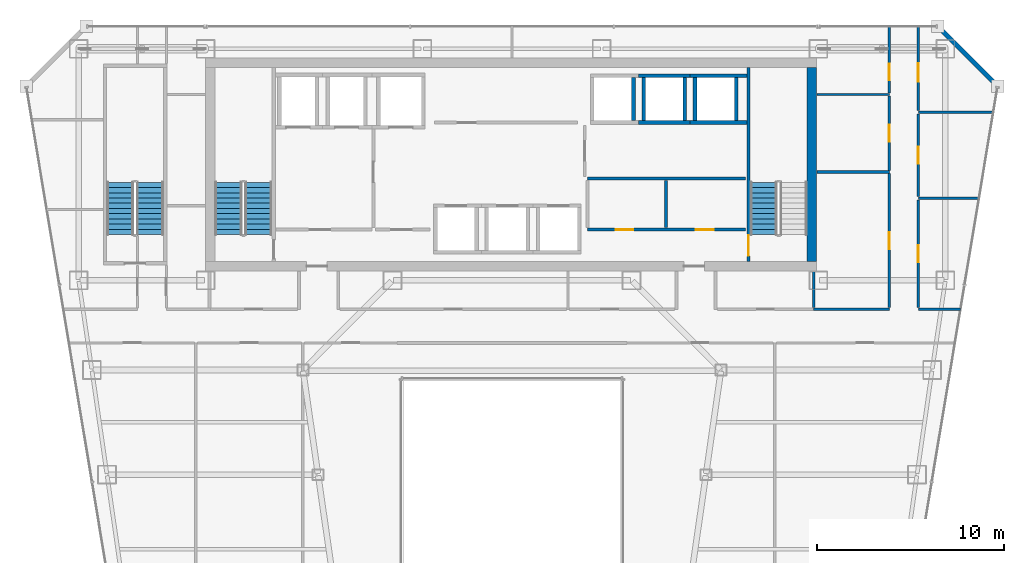
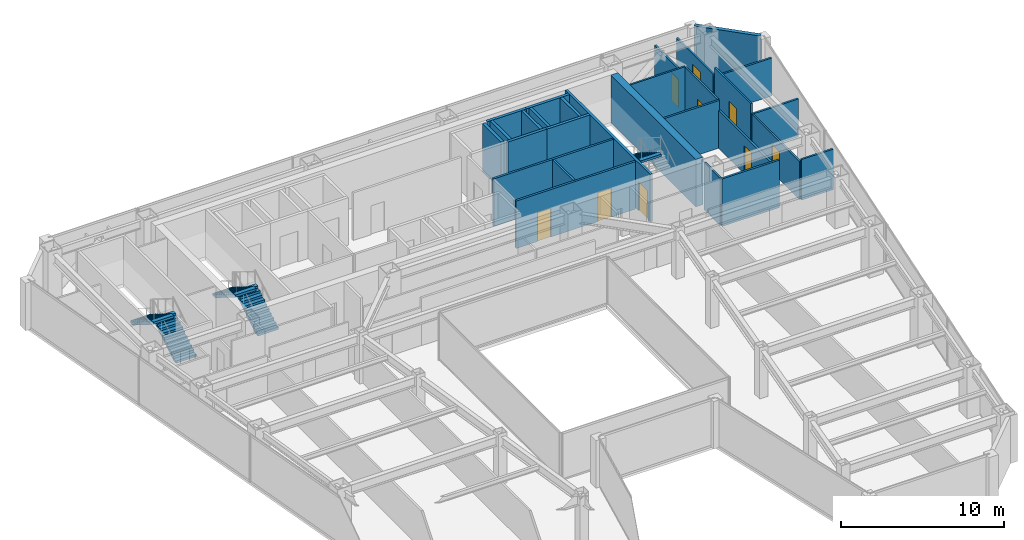
# One storey, part 33 of 37: 28 walls, 9 doors, 5 stair flights, 9 openings, 3 elements without a shape of their own.
"""IFC4 building model written with IfcOpenShell, lengths in metres."""

from ifc_helpers import new_model, si_unit, direction, frame, frame_2d, origin, place, context, subcontext, project, spatial, polyline, rectangle, outline, extrude, material, layer, layer_set, type_object, element, fill, aggregate, save


model = new_model("IFC4")

# Units and contexts
model_context = context("Model", 3, precision=1e-05, world=origin(), true_north=direction((0.0, 1.0)))
body_context = subcontext(model_context, "Body", "Model", "MODEL_VIEW")
ifc_project = project(units=[si_unit("LENGTHUNIT", "METRE"), si_unit("AREAUNIT", "SQUARE_METRE"), si_unit("VOLUMEUNIT", "CUBIC_METRE"), si_unit("PLANEANGLEUNIT", "RADIAN"), si_unit("MASSUNIT", "GRAM", prefix="KILO")], contexts=[model_context])

# Site, building, storey
site_placement = place(None, origin())
site = spatial("IfcSite", under=ifc_project, at=site_placement, CompositionType="ELEMENT")
building_placement = place(site_placement, origin())
building = spatial("IfcBuilding", under=site, at=building_placement, Name="Saevonmaru Cultural Tower", CompositionType="ELEMENT")
storey_placement = place(building_placement, frame((0.0, 0.0, 160.0)))
storey = spatial("IfcBuildingStorey", under=building, at=storey_placement, Name="L35", CompositionType="ELEMENT", Elevation=160.0)

# Wall
ifc_material_1 = material(Name="Concrete C60/75", Category="concrete")
ifc_layer_1 = layer(ifc_material_1, 0.5, Name="Concrete C60/75")
ifc_layer_set_1 = layer_set([ifc_layer_1], Name="Concrete C60/75")
wall_type_1 = type_object("IfcWallType", Name="WL-CORE-500", PredefinedType="SHEAR", material=ifc_layer_set_1)
wall_1_placement = place(storey_placement, frame((46.050048828125, 43.39990234375, 0.0), z_axis=(0.0, 0.0, 1.0), x_axis=(0.0, 1.0, 0.0)))
element("IfcWall", 1, at=wall_1_placement, inside=storey, type_object=wall_type_1, Name="L35 Tower RC core shear wall E", PredefinedType="SHEAR", context=body_context, shape_type="SweptSolid", body=[
    extrude(rectangle(XDim=10.400146484375, YDim=0.5, at=frame_2d((5.2001953125, 0.0))), origin(), (0.0, 0.0, 1.0), 3.550048828125),
])

# Wall, openings, doors
ifc_material_2 = material(Name="Gypsum Fireboard Partition", Category="gypsum")
ifc_layer_2 = layer(ifc_material_2, 0.14990234375, Name="Gypsum Fireboard Partition")
ifc_layer_set_2 = layer_set([ifc_layer_2], Name="Gypsum Fireboard Partition")
wall_type_2 = type_object("IfcWallType", Name="WL-CORE-PART-150", PredefinedType="PARTITIONING", material=ifc_layer_set_2)
wall_2_placement = place(storey_placement, frame((34.050048828125, 45.1201171875, 0.0), z_axis=(0.0, 0.0, 1.0), x_axis=(1.0, 0.0, 0.0)))
wall_2 = element("IfcWall", 2, at=wall_2_placement, inside=storey, type_object=wall_type_2, Name="L35 Core Plant South Wall", PredefinedType="PARTITIONING", context=body_context, shape_type="SweptSolid", body=[
    extrude(rectangle(XDim=8.449951171875, YDim=0.14990234375, at=frame_2d((4.22509765625, 0.0))), origin(), (0.0, 0.0, 1.0), 3.550048828125),
])
opening_1_placement = place(wall_2_placement, frame((1.5, 0.0, 0.0)))
opening_1 = element("IfcOpeningElement", 3, at=opening_1_placement, cuts=wall_2, Name="Opening FD-4", PredefinedType="OPENING", context=body_context, shape_type="SweptSolid", body=[
    extrude(rectangle(XDim=0.949951171875, YDim=2.14990234375, at=frame_2d((0.47509765625, 1.074951171875))), frame((0.0, 0.0849609375, 0.0), z_axis=(0.0, -1.0, 0.0), x_axis=(1.0, 0.0, 0.0)), (0.0, 0.0, 1.0), 0.169921875),
])
opening_2_placement = place(wall_2_placement, frame((5.800048828125, 0.0, 0.0)))
opening_2 = element("IfcOpeningElement", 4, at=opening_2_placement, cuts=wall_2, Name="Opening FD-4", PredefinedType="OPENING", context=body_context, shape_type="SweptSolid", body=[
    extrude(rectangle(XDim=0.949951171875, YDim=2.14990234375, at=frame_2d((0.47509765625, 1.074951171875))), frame((0.0, 0.0849609375, 0.0), z_axis=(0.0, -1.0, 0.0), x_axis=(1.0, 0.0, 0.0)), (0.0, 0.0, 1.0), 0.169921875),
])
ifc_material_3 = material(Name="Satin Bronze Anodised Aluminium", Category="aluminium")
door_type_1 = type_object("IfcDoorType", Name="DR-FD60-950", OperationType="SINGLE_SWING_LEFT", PredefinedType="DOOR", material=ifc_material_3)
door_1_placement = place(opening_1_placement, origin())
door_1 = element("IfcDoor", 5, at=door_1_placement, inside=storey, type_object=door_type_1, Name="L35 Floor AHU Plant Door", OperationType="SINGLE_SWING_LEFT", OverallHeight=2.14990234375, OverallWidth=0.949951171875, PredefinedType="DOOR", context=body_context, shape_type="SweptSolid", body=[
    extrude(rectangle(XDim=0.949951171875, YDim=2.14990234375, at=frame_2d((0.47509765625, 1.074951171875))), frame((0.0, 0.02490234375, 0.0), z_axis=(0.0, -1.0, 0.0), x_axis=(1.0, 0.0, 0.0)), (0.0, 0.0, 1.0), 0.050048828125),
])
fill(opening_1, door_1)
door_2_placement = place(opening_2_placement, origin())
door_2 = element("IfcDoor", 6, at=door_2_placement, inside=storey, type_object=door_type_1, Name="L35 Housekeeping Storage Door", OperationType="SINGLE_SWING_LEFT", OverallHeight=2.14990234375, OverallWidth=0.949951171875, PredefinedType="DOOR", context=body_context, shape_type="SweptSolid", body=[
    extrude(rectangle(XDim=0.949951171875, YDim=2.14990234375, at=frame_2d((0.47509765625, 1.074951171875))), frame((0.0, 0.02490234375, 0.0), z_axis=(0.0, -1.0, 0.0), x_axis=(1.0, 0.0, 0.0)), (0.0, 0.0, 1.0), 0.050048828125),
])
fill(opening_2, door_2)

# Walls
wall_3_placement = place(storey_placement, frame((34.050048828125, 47.85009765625, 0.0), z_axis=(0.0, 0.0, 1.0), x_axis=(1.0, 0.0, 0.0)))
element("IfcWall", 7, at=wall_3_placement, inside=storey, type_object=wall_type_2, Name="L35 Core Plant North Wall", PredefinedType="PARTITIONING", context=body_context, shape_type="SweptSolid", body=[
    extrude(rectangle(XDim=8.449951171875, YDim=0.14990234375, at=frame_2d((4.22509765625, 0.0))), origin(), (0.0, 0.0, 1.0), 3.550048828125),
])
wall_4_placement = place(storey_placement, frame((38.25, 45.219970703125, 0.0), z_axis=(0.0, 0.0, 1.0), x_axis=(0.0, 1.0, 0.0)))
element("IfcWall", 8, at=wall_4_placement, inside=storey, type_object=wall_type_2, Name="L35 Core Plant Split", PredefinedType="PARTITIONING", context=body_context, shape_type="SweptSolid", body=[
    extrude(rectangle(XDim=2.530029296875, YDim=0.14990234375, at=frame_2d((1.26513671875, 0.0))), origin(), (0.0, 0.0, 1.0), 3.550048828125),
])
ifc_material_4 = material(Name="Granite-Clad Precast Concrete C40/50", Category="masonry")
ifc_layer_3 = layer(ifc_material_4, 0.260009765625, Name="Granite-Clad Precast Concrete C40/50")
ifc_layer_set_3 = layer_set([ifc_layer_3], Name="Granite-Clad Precast Concrete C40/50")
wall_type_3 = type_object("IfcWallType", Name="WL-EXT-SPANDREL-260", PredefinedType="STANDARD", material=ifc_layer_set_3)
wall_5_placement = place(storey_placement, frame((55.886962890625, 52.9130859375, 0.0), z_axis=(0.0, 0.0, 1.0), x_axis=(-0.707106781187, 0.707106781187, 0.0)))
element("IfcWall", 9, at=wall_5_placement, inside=storey, type_object=wall_type_3, Name="L35 Chamfer Corner Spandrel Wall E9", PredefinedType="STANDARD", context=body_context, shape_type="SweptSolid", body=[
    extrude(rectangle(XDim=4.205810546875, YDim=0.260009765625, at=frame_2d((2.10302734375, 0.0))), origin(), (0.0, 0.0, 1.0), 3.550048828125),
])
ifc_layer_4 = layer(ifc_material_2, 0.1201171875, Name="Gypsum Fireboard Partition")
ifc_layer_set_4 = layer_set([ifc_layer_4], Name="Gypsum Fireboard Partition")
wall_type_4 = type_object("IfcWallType", Name="WL-PART-GYP-120", PredefinedType="PARTITIONING", material=ifc_layer_set_4)
wall_6_placement = place(storey_placement, frame((46.320068359375, 52.35009765625, 0.0), z_axis=(0.0, 0.0, 1.0), x_axis=(1.0, 0.0, 0.0)))
element("IfcWall", 10, at=wall_6_placement, inside=storey, type_object=wall_type_4, Name="L35 North-East Panorama South Wall", PredefinedType="PARTITIONING", context=body_context, shape_type="SweptSolid", body=[
    extrude(rectangle(XDim=3.8798828125, YDim=0.1201171875, at=frame_2d((1.93994140625, 0.0))), origin(), (0.0, 0.0, 1.0), 3.550048828125),
])

# Wall, opening, door
wall_7_placement = place(storey_placement, frame((50.199951171875, 48.2900390625, 0.0), z_axis=(0.0, 0.0, 1.0), x_axis=(0.0, 1.0, 0.0)))
wall_7 = element("IfcWall", 11, at=wall_7_placement, inside=storey, type_object=wall_type_4, Name="L35 Translation Research Office Corridor Wall", PredefinedType="PARTITIONING", context=body_context, shape_type="SweptSolid", body=[
    extrude(rectangle(XDim=3.97998046875, YDim=0.1201171875, at=frame_2d((1.989990234375, 0.0))), origin(), (0.0, 0.0, 1.0), 3.550048828125),
])
opening_3_placement = place(wall_7_placement, frame((1.5400390625, 0.0, 0.0)))
opening_3 = element("IfcOpeningElement", 12, at=opening_3_placement, cuts=wall_7, Name="Opening ID-2", PredefinedType="OPENING", context=body_context, shape_type="SweptSolid", body=[
    extrude(rectangle(XDim=0.89990234375, YDim=2.10009765625, at=frame_2d((0.449951171875, 1.050048828125))), frame((0.0, 0.070068359375, 0.0), z_axis=(0.0, -1.0, 0.0), x_axis=(1.0, 0.0, 0.0)), (0.0, 0.0, 1.0), 0.14013671875),
])
ifc_material_5 = material(Name="Acoustic Stained Oak Timber", Category="wood")
door_type_2 = type_object("IfcDoorType", Name="DR-INT-900", OperationType="SINGLE_SWING_RIGHT", PredefinedType="DOOR", material=ifc_material_5)
door_3_placement = place(opening_3_placement, origin())
door_3 = element("IfcDoor", 13, at=door_3_placement, inside=storey, type_object=door_type_2, Name="L35 Translation Research Office Door", OperationType="SINGLE_SWING_LEFT", OverallHeight=2.10009765625, OverallWidth=0.89990234375, PredefinedType="DOOR", context=body_context, shape_type="SweptSolid", body=[
    extrude(rectangle(XDim=0.89990234375, YDim=2.10009765625, at=frame_2d((0.449951171875, 1.050048828125))), frame((0.0, 0.02490234375, 0.0), z_axis=(0.0, -1.0, 0.0), x_axis=(1.0, 0.0, 0.0)), (0.0, 0.0, 1.0), 0.050048828125),
])
fill(opening_3, door_3)

wall_8_placement = place(storey_placement, frame((50.199951171875, 52.429931640625, 0.0), z_axis=(0.0, 0.0, 1.0), x_axis=(0.0, 1.0, 0.0)))
wall_8 = element("IfcWall", 14, at=wall_8_placement, inside=storey, type_object=wall_type_4, Name="L35 Architecture Residency Office Corridor Wall", PredefinedType="PARTITIONING", context=body_context, shape_type="SweptSolid", body=[
    extrude(rectangle(XDim=3.565185546875, YDim=0.1201171875, at=frame_2d((1.78271484375, 0.0))), origin(), (0.0, 0.0, 1.0), 2.93505859375),
])
opening_4_placement = place(wall_8_placement, frame((0.672119140625, 0.0, 0.0)))
opening_4 = element("IfcOpeningElement", 15, at=opening_4_placement, cuts=wall_8, Name="Opening ID-2", PredefinedType="OPENING", context=body_context, shape_type="SweptSolid", body=[
    extrude(rectangle(XDim=0.89990234375, YDim=2.10009765625, at=frame_2d((0.449951171875, 1.050048828125))), frame((0.0, 0.070068359375, 0.0), z_axis=(0.0, -1.0, 0.0), x_axis=(1.0, 0.0, 0.0)), (0.0, 0.0, 1.0), 0.14013671875),
])
door_4_placement = place(opening_4_placement, origin())
door_4 = element("IfcDoor", 16, at=door_4_placement, inside=storey, type_object=door_type_2, Name="L35 Architecture Residency Office Door", OperationType="SINGLE_SWING_RIGHT", OverallHeight=2.10009765625, OverallWidth=0.89990234375, PredefinedType="DOOR", context=body_context, shape_type="SweptSolid", body=[
    extrude(rectangle(XDim=0.89990234375, YDim=2.10009765625, at=frame_2d((0.449951171875, 1.050048828125))), frame((0.0, 0.02490234375, 0.0), z_axis=(0.0, -1.0, 0.0), x_axis=(1.0, 0.0, 0.0)), (0.0, 0.0, 1.0), 0.050048828125),
])
fill(opening_4, door_4)

wall_9_placement = place(storey_placement, frame((51.75, 40.9375, 0.0), z_axis=(0.0, 0.0, 1.0), x_axis=(0.0, 1.0, 0.0)))
wall_9 = element("IfcWall", 17, at=wall_9_placement, inside=storey, type_object=wall_type_4, Name="L35 Urban Design Meeting Room Corridor Wall", PredefinedType="PARTITIONING", context=body_context, shape_type="SweptSolid", body=[
    extrude(rectangle(XDim=5.77490234375, YDim=0.1201171875, at=frame_2d((2.887451171875, 0.0))), origin(), (0.0, 0.0, 1.0), 2.8349609375),
])
opening_5_placement = place(wall_9_placement, frame((2.43701171875, 0.0, 0.0)))
opening_5 = element("IfcOpeningElement", 18, at=opening_5_placement, cuts=wall_9, Name="Opening ID-2", PredefinedType="OPENING", context=body_context, shape_type="SweptSolid", body=[
    extrude(rectangle(XDim=0.89990234375, YDim=2.10009765625, at=frame_2d((0.449951171875, 1.050048828125))), frame((0.0, 0.070068359375, 0.0), z_axis=(0.0, -1.0, 0.0), x_axis=(1.0, 0.0, 0.0)), (0.0, 0.0, 1.0), 0.14013671875),
])
door_5_placement = place(opening_5_placement, origin())
door_5 = element("IfcDoor", 19, at=door_5_placement, inside=storey, type_object=door_type_2, Name="L35 Urban Design Meeting Room Door", OperationType="SINGLE_SWING_LEFT", OverallHeight=2.10009765625, OverallWidth=0.89990234375, PredefinedType="DOOR", context=body_context, shape_type="SweptSolid", body=[
    extrude(rectangle(XDim=0.89990234375, YDim=2.10009765625, at=frame_2d((0.449951171875, 1.050048828125))), frame((0.0, 0.02490234375, 0.0), z_axis=(0.0, -1.0, 0.0), x_axis=(1.0, 0.0, 0.0)), (0.0, 0.0, 1.0), 0.050048828125),
])
fill(opening_5, door_5)

wall_10_placement = place(storey_placement, frame((51.75, 46.887451171875, 0.0), z_axis=(0.0, 0.0, 1.0), x_axis=(0.0, 1.0, 0.0)))
wall_10 = element("IfcWall", 20, at=wall_10_placement, inside=storey, type_object=wall_type_4, Name="L35 Printmaking Workshop Classroom Corridor Wall", PredefinedType="PARTITIONING", context=body_context, shape_type="SweptSolid", body=[
    extrude(rectangle(XDim=4.425048828125, YDim=0.1201171875, at=frame_2d((2.21240234375, 0.0))), origin(), (0.0, 0.0, 1.0), 3.550048828125),
])
opening_6_placement = place(wall_10_placement, frame((1.761962890625, 0.0, 0.0)))
opening_6 = element("IfcOpeningElement", 21, at=opening_6_placement, cuts=wall_10, Name="Opening ID-2", PredefinedType="OPENING", context=body_context, shape_type="SweptSolid", body=[
    extrude(rectangle(XDim=0.89990234375, YDim=2.10009765625, at=frame_2d((0.449951171875, 1.050048828125))), frame((0.0, 0.070068359375, 0.0), z_axis=(0.0, -1.0, 0.0), x_axis=(1.0, 0.0, 0.0)), (0.0, 0.0, 1.0), 0.14013671875),
])
door_6_placement = place(opening_6_placement, origin())
door_6 = element("IfcDoor", 22, at=door_6_placement, inside=storey, type_object=door_type_2, Name="L35 Printmaking Workshop Classroom Door", OperationType="SINGLE_SWING_RIGHT", OverallHeight=2.10009765625, OverallWidth=0.89990234375, PredefinedType="DOOR", context=body_context, shape_type="SweptSolid", body=[
    extrude(rectangle(XDim=0.89990234375, YDim=2.10009765625, at=frame_2d((0.449951171875, 1.050048828125))), frame((0.0, 0.02490234375, 0.0), z_axis=(0.0, -1.0, 0.0), x_axis=(1.0, 0.0, 0.0)), (0.0, 0.0, 1.0), 0.050048828125),
])
fill(opening_6, door_6)

wall_11_placement = place(storey_placement, frame((51.75, 51.487548828125, 0.0), z_axis=(0.0, 0.0, 1.0), x_axis=(0.0, 1.0, 0.0)))
wall_11 = element("IfcWall", 23, at=wall_11_placement, inside=storey, type_object=wall_type_4, Name="L35 Botanical Tea Bistro Corridor Wall", PredefinedType="PARTITIONING", context=body_context, shape_type="SweptSolid", body=[
    extrude(rectangle(XDim=4.507568359375, YDim=0.1201171875, at=frame_2d((2.25390625, 0.0))), origin(), (0.0, 0.0, 1.0), 2.93505859375),
])
opening_7_placement = place(wall_11_placement, frame((1.533935546875, 0.0, 0.0)))
opening_7 = element("IfcOpeningElement", 24, at=opening_7_placement, cuts=wall_11, Name="Opening ID-1B", PredefinedType="OPENING", context=body_context, shape_type="SweptSolid", body=[
    extrude(rectangle(XDim=1.0, YDim=2.14990234375, at=frame_2d((0.5, 1.074951171875))), frame((0.0, 0.070068359375, 0.0), z_axis=(0.0, -1.0, 0.0), x_axis=(1.0, 0.0, 0.0)), (0.0, 0.0, 1.0), 0.14013671875),
])
door_type_3 = type_object("IfcDoorType", Name="DR-INT-1000", OperationType="SINGLE_SWING_RIGHT", PredefinedType="DOOR", material=ifc_material_5)
door_7_placement = place(opening_7_placement, origin())
door_7 = element("IfcDoor", 25, at=door_7_placement, inside=storey, type_object=door_type_3, Name="L35 Botanical Tea Bistro Door", OperationType="SINGLE_SWING_LEFT", OverallHeight=2.14990234375, OverallWidth=1.0, PredefinedType="DOOR", context=body_context, shape_type="SweptSolid", body=[
    extrude(rectangle(XDim=1.0, YDim=2.14990234375, at=frame_2d((0.5, 1.074951171875))), frame((0.0, 0.02490234375, 0.0), z_axis=(0.0, -1.0, 0.0), x_axis=(1.0, 0.0, 0.0)), (0.0, 0.0, 1.0), 0.050048828125),
])
fill(opening_7, door_7)

# Walls
ifc_layer_5 = layer(ifc_material_2, 0.135009765625, Name="Gypsum Fireboard Partition")
ifc_layer_set_5 = layer_set([ifc_layer_5], Name="Gypsum Fireboard Partition")
wall_type_5 = type_object("IfcWallType", Name="WL-PART-GYP-135", PredefinedType="PARTITIONING", material=ifc_layer_set_5)
wall_12_placement = place(storey_placement, frame((51.75, 40.85009765625, 0.0), z_axis=(0.0, 0.0, 1.0), x_axis=(1.0, 0.0, 0.0)))
element("IfcWall", 26, at=wall_12_placement, inside=storey, type_object=wall_type_5, Name="L35 NE Wing South Wall", PredefinedType="PARTITIONING", context=body_context, shape_type="SweptSolid", body=[
    extrude(rectangle(XDim=2.25830078125, YDim=0.135009765625, at=frame_2d((1.129150390625, 0.0))), origin(), (0.0, 0.0, 1.0), 3.034912109375),
])
wall_13_placement = place(storey_placement, frame((51.75, 46.800048828125, 0.0), z_axis=(0.0, 0.0, 1.0), x_axis=(1.0, 0.0, 0.0)))
element("IfcWall", 27, at=wall_13_placement, inside=storey, type_object=wall_type_5, Name="L35 NE Studio Divider 1", PredefinedType="PARTITIONING", context=body_context, shape_type="SweptSolid", body=[
    extrude(rectangle(XDim=3.247314453125, YDim=0.135009765625, at=frame_2d((1.62353515625, 0.0))), origin(), (0.0, 0.0, 1.0), 2.8349609375),
])
wall_14_placement = place(storey_placement, frame((51.75, 51.39990234375, 0.0), z_axis=(0.0, 0.0, 1.0), x_axis=(1.0, 0.0, 0.0)))
element("IfcWall", 28, at=wall_14_placement, inside=storey, type_object=wall_type_5, Name="L35 NE Studio Divider 2", PredefinedType="PARTITIONING", context=body_context, shape_type="SweptSolid", body=[
    extrude(rectangle(XDim=4.01220703125, YDim=0.135009765625, at=frame_2d((2.006103515625, 0.0))), origin(), (0.0, 0.0, 1.0), 2.8349609375),
])
ifc_layer_6 = layer(ifc_material_2, 0.139892578125, Name="Gypsum Fireboard Partition")
ifc_layer_set_6 = layer_set([ifc_layer_6], Name="Gypsum Fireboard Partition")
wall_type_6 = type_object("IfcWallType", Name="WL-PART-WET-140", PredefinedType="PARTITIONING", material=ifc_layer_set_6)
wall_15_placement = place(storey_placement, frame((46.14990234375, 40.85009765625, 0.0), z_axis=(0.0, 0.0, 1.0), x_axis=(1.0, 0.0, 0.0)))
element("IfcWall", 29, at=wall_15_placement, inside=storey, type_object=wall_type_6, Name="L35 Washroom South Wall", PredefinedType="PARTITIONING", context=body_context, shape_type="SweptSolid", body=[
    extrude(rectangle(XDim=4.050048828125, YDim=0.139892578125, at=frame_2d((2.02490234375, 0.0))), origin(), (0.0, 0.0, 1.0), 3.550048828125),
])
wall_16_placement = place(storey_placement, frame((46.14990234375, 40.93994140625, 0.0), z_axis=(0.0, 0.0, 1.0), x_axis=(0.0, 1.0, 0.0)))
element("IfcWall", 30, at=wall_16_placement, inside=storey, type_object=wall_type_6, Name="L35 Washroom South-West Return", PredefinedType="PARTITIONING", context=body_context, shape_type="SweptSolid", body=[
    extrude(rectangle(XDim=1.93994140625, YDim=0.139892578125, at=frame_2d((0.969970703125, 0.0))), origin(), (0.0, 0.0, 1.0), 3.550048828125),
])
wall_17_placement = place(storey_placement, frame((46.320068359375, 48.199951171875, 0.0), z_axis=(0.0, 0.0, 1.0), x_axis=(1.0, 0.0, 0.0)))
element("IfcWall", 31, at=wall_17_placement, inside=storey, type_object=wall_type_6, Name="L35 Washroom North Wall", PredefinedType="PARTITIONING", context=body_context, shape_type="SweptSolid", body=[
    extrude(rectangle(XDim=3.8798828125, YDim=0.139892578125, at=frame_2d((1.93994140625, 0.0))), origin(), (0.0, 0.0, 1.0), 3.550048828125),
])

# Wall, opening, door
wall_18_placement = place(storey_placement, frame((50.199951171875, 40.93994140625, 0.0), z_axis=(0.0, 0.0, 1.0), x_axis=(0.0, 1.0, 0.0)))
wall_18 = element("IfcWall", 32, at=wall_18_placement, inside=storey, type_object=wall_type_6, Name="L35 Washroom Corridor Wall", PredefinedType="PARTITIONING", context=body_context, shape_type="SweptSolid", body=[
    extrude(rectangle(XDim=7.170166015625, YDim=0.139892578125, at=frame_2d((3.5849609375, 0.0))), origin(), (0.0, 0.0, 1.0), 2.8349609375),
])
opening_8_placement = place(wall_18_placement, frame((3.135009765625, 0.0, 0.0)))
opening_8 = element("IfcOpeningElement", 33, at=opening_8_placement, cuts=wall_18, Name="Opening ID-2", PredefinedType="OPENING", context=body_context, shape_type="SweptSolid", body=[
    extrude(rectangle(XDim=0.89990234375, YDim=2.10009765625, at=frame_2d((0.449951171875, 1.050048828125))), frame((0.0, 0.080078125, 0.0), z_axis=(0.0, -1.0, 0.0), x_axis=(1.0, 0.0, 0.0)), (0.0, 0.0, 1.0), 0.159912109375),
])
door_8_placement = place(opening_8_placement, origin())
door_8 = element("IfcDoor", 34, at=door_8_placement, inside=storey, type_object=door_type_2, Name="L35 Public Accessible Washrooms Door", OperationType="SINGLE_SWING_RIGHT", OverallHeight=2.10009765625, OverallWidth=0.89990234375, PredefinedType="DOOR", context=body_context, shape_type="SweptSolid", body=[
    extrude(rectangle(XDim=0.89990234375, YDim=2.10009765625, at=frame_2d((0.449951171875, 1.050048828125))), frame((0.0, 0.02490234375, 0.0), z_axis=(0.0, -1.0, 0.0), x_axis=(1.0, 0.0, 0.0)), (0.0, 0.0, 1.0), 0.050048828125),
])
fill(opening_8, door_8)

# Walls
ifc_material_6 = material(Name="Concrete C40/50", Category="concrete")
ifc_layer_7 = layer(ifc_material_6, 0.199951171875, Name="Concrete C40/50")
ifc_layer_set_7 = layer_set([ifc_layer_7], Name="Concrete C40/50")
wall_type_7 = type_object("IfcWallType", Name="WL-SHAFT-200", PredefinedType="SHEAR", material=ifc_layer_set_7)
wall_19_placement = place(storey_placement, frame((36.5, 50.949951171875, 0.0), z_axis=(0.0, 0.0, 1.0), x_axis=(0.0, 1.0, 0.0)))
element("IfcWall", 35, at=wall_19_placement, inside=storey, type_object=wall_type_7, Name="L35 Lift PL-H1 Hoistway Wall E", PredefinedType="SHEAR", context=body_context, shape_type="SweptSolid", body=[
    extrude(rectangle(XDim=2.300048828125, YDim=0.199951171875, at=frame_2d((1.14990234375, 0.0))), origin(), (0.0, 0.0, 1.0), 3.550048828125),
])
for number, where, z_axis, x_axis, name in (
    (36, (36.77490234375, 50.85009765625, 0.0), (0.0, 0.0, 1.0), (1.0, 0.0, 0.0), "L35 Lift PL-H2 Hoistway Wall S"),
    (37, (36.77490234375, 53.35009765625, 0.0), (0.0, 0.0, 1.0), (1.0, 0.0, 0.0), "L35 Lift PL-H2 Hoistway Wall N"),
):
    element("IfcWall", number, at=place(storey_placement, frame(where, z_axis=z_axis, x_axis=x_axis)), inside=storey, type_object=wall_type_7, Name=name, PredefinedType="SHEAR", context=body_context, shape_type="SweptSolid", body=[
        extrude(rectangle(XDim=2.75, YDim=0.199951171875, at=frame_2d((1.375, 0.0))), origin(), (0.0, 0.0, 1.0), 3.550048828125),
    ])
for number, where, z_axis, x_axis, name in (
    (38, (37.050048828125, 50.949951171875, 0.0), (0.0, 0.0, 1.0), (0.0, 1.0, 0.0), "L35 Lift PL-H2 Hoistway Wall W"),
    (39, (39.25, 50.949951171875, 0.0), (0.0, 0.0, 1.0), (0.0, 1.0, 0.0), "L35 Lift PL-H2 Hoistway Wall E"),
):
    element("IfcWall", number, at=place(storey_placement, frame(where, z_axis=z_axis, x_axis=x_axis)), inside=storey, type_object=wall_type_7, Name=name, PredefinedType="SHEAR", context=body_context, shape_type="SweptSolid", body=[
        extrude(rectangle(XDim=2.300048828125, YDim=0.199951171875, at=frame_2d((1.14990234375, 0.0))), origin(), (0.0, 0.0, 1.0), 3.550048828125),
    ])
for number, where, z_axis, x_axis, name in (
    (40, (39.52490234375, 50.85009765625, 0.0), (0.0, 0.0, 1.0), (1.0, 0.0, 0.0), "L35 Lift PL-H3 Hoistway Wall S"),
    (41, (39.52490234375, 53.35009765625, 0.0), (0.0, 0.0, 1.0), (1.0, 0.0, 0.0), "L35 Lift PL-H3 Hoistway Wall N"),
):
    element("IfcWall", number, at=place(storey_placement, frame(where, z_axis=z_axis, x_axis=x_axis)), inside=storey, type_object=wall_type_7, Name=name, PredefinedType="SHEAR", context=body_context, shape_type="SweptSolid", body=[
        extrude(rectangle(XDim=3.045166015625, YDim=0.199951171875, at=frame_2d((1.5224609375, 0.0))), origin(), (0.0, 0.0, 1.0), 3.550048828125),
    ])
for number, where, z_axis, x_axis, name in (
    (42, (39.800048828125, 50.949951171875, 0.0), (0.0, 0.0, 1.0), (0.0, 1.0, 0.0), "L35 Lift PL-H3 Hoistway Wall W"),
    (43, (42.0, 50.949951171875, 0.0), (0.0, 0.0, 1.0), (0.0, 1.0, 0.0), "L35 Lift PL-H3 Hoistway Wall E"),
):
    element("IfcWall", number, at=place(storey_placement, frame(where, z_axis=z_axis, x_axis=x_axis)), inside=storey, type_object=wall_type_7, Name=name, PredefinedType="SHEAR", context=body_context, shape_type="SweptSolid", body=[
        extrude(rectangle(XDim=2.300048828125, YDim=0.199951171875, at=frame_2d((1.14990234375, 0.0))), origin(), (0.0, 0.0, 1.0), 3.550048828125),
    ])

# Wall, opening, door
ifc_layer_8 = layer(ifc_material_6, 0.179931640625, Name="Concrete C40/50")
ifc_layer_set_8 = layer_set([ifc_layer_8], Name="Concrete C40/50")
wall_type_8 = type_object("IfcWallType", Name="WL-STSHAFT-180", PredefinedType="SHEAR", material=ifc_layer_set_8)
wall_20_placement = place(storey_placement, frame((42.659912109375, 53.800048828125, 0.0), z_axis=(0.0, 0.0, 1.0), x_axis=(0.0, -1.0, 0.0)))
wall_20 = element("IfcWall", 44, at=wall_20_placement, inside=storey, type_object=wall_type_8, Name="L35 Stair ST-2 Structural Shaft Wall 1", PredefinedType="SHEAR", context=body_context, shape_type="SweptSolid", body=[
    extrude(rectangle(XDim=10.400146484375, YDim=0.179931640625, at=frame_2d((5.2001953125, 0.0))), origin(), (0.0, 0.0, 1.0), 3.550048828125),
])
opening_9_placement = place(wall_20_placement, frame((8.989990234375, 0.0, 0.0)))
opening_9 = element("IfcOpeningElement", 45, at=opening_9_placement, cuts=wall_20, Name="Opening FD-2", PredefinedType="OPENING", context=body_context, shape_type="SweptSolid", body=[
    extrude(rectangle(XDim=1.10009765625, YDim=2.14990234375, at=frame_2d((0.550048828125, 1.074951171875))), frame((0.0, 0.10009765625, 0.0), z_axis=(0.0, -1.0, 0.0), x_axis=(1.0, 0.0, 0.0)), (0.0, 0.0, 1.0), 0.199951171875),
])
door_type_4 = type_object("IfcDoorType", Name="DR-FD60-1100", OperationType="SINGLE_SWING_LEFT", PredefinedType="DOOR", material=ifc_material_3)
door_9_placement = place(opening_9_placement, origin())
door_9 = element("IfcDoor", 46, at=door_9_placement, inside=storey, type_object=door_type_4, Name="L35 Protected Stair ST-2 Fire Door", OperationType="SINGLE_SWING_LEFT", OverallHeight=2.14990234375, OverallWidth=1.10009765625, PredefinedType="DOOR", context=body_context, shape_type="SweptSolid", body=[
    extrude(rectangle(XDim=1.10009765625, YDim=2.14990234375, at=frame_2d((0.550048828125, 1.074951171875))), frame((0.0, 0.02490234375, 0.0), z_axis=(0.0, -1.0, 0.0), x_axis=(1.0, 0.0, 0.0)), (0.0, 0.0, 1.0), 0.050048828125),
])
fill(opening_9, door_9)

# Stair, stair flights
stair_type = type_object("IfcStairType", Name="STR-DOGLEG-RC", PredefinedType="HALF_TURN_STAIR", material=ifc_material_6)
stair_1_placement = place(storey_placement, origin())
stair_1 = element("IfcStair", 47, at=stair_1_placement, inside=storey, type_object=stair_type, Name="L35 Protected exit stair ST-1", PredefinedType="HALF_TURN_STAIR")
ifc_material_7 = material(Name="Precast concrete C40/50", Category="concrete")
stair_flight_type = type_object("IfcStairFlightType", Name="STF-PRECAST-180", PredefinedType="STRAIGHT", material=ifc_material_7)
stair_flight_1_placement = place(storey_placement, frame((16.425048828125, 44.85009765625, 0.0), z_axis=(0.0, 0.0, 1.0), x_axis=(0.0, 1.0, 0.0)))
stair_flight_1 = element("IfcStairFlight", 48, at=stair_flight_1_placement, type_object=stair_flight_type, Name="ST-1-L35 flight 1", NumberOfRisers=11, NumberOfTreads=10, PredefinedType="STRAIGHT", RiserHeight=0.172727273, TreadLength=0.28, context=body_context, shape_type="SweptSolid", body=[
    extrude(outline(polyline([(0.0, 0.0), (0.0, 0.172607421875), (0.280029296875, 0.172607421875), (0.280029296875, 0.345458984375), (0.56005859375, 0.345458984375), (0.56005859375, 0.51806640625), (0.840087890625, 0.51806640625), (0.840087890625, 0.69091796875), (1.1201171875, 0.69091796875), (1.1201171875, 0.863525390625), (1.39990234375, 0.863525390625), (1.39990234375, 1.036376953125), (1.679931640625, 1.036376953125), (1.679931640625, 1.208984375), (1.9599609375, 1.208984375), (1.9599609375, 1.3818359375), (2.239990234375, 1.3818359375), (2.239990234375, 1.554443359375), (2.52001953125, 1.554443359375), (2.52001953125, 1.727294921875), (2.800048828125, 1.727294921875), (2.800048828125, 1.89990234375), (2.800048828125, 1.551025390625), (0.285400390625, 0.0), (0.0, 0.0)])), frame((0.0, 0.72509765625, 0.0), z_axis=(0.0, -1.0, 0.0), x_axis=(1.0, 0.0, 0.0)), (0.0, 0.0, 1.0), 1.449951171875),
])
stair_flight_2_placement = place(storey_placement, frame((14.824951171875, 47.64990234375, 1.89990234375), z_axis=(0.0, 0.0, 1.0), x_axis=(0.0, -1.0, 0.0)))
stair_flight_2 = element("IfcStairFlight", 49, at=stair_flight_2_placement, type_object=stair_flight_type, Name="ST-1-L35 flight 2", NumberOfRisers=11, NumberOfTreads=10, PredefinedType="STRAIGHT", RiserHeight=0.172727273, TreadLength=0.28, context=body_context, shape_type="SweptSolid", body=[
    extrude(outline(polyline([(0.0, 0.0), (0.0, 0.172607421875), (0.280029296875, 0.172607421875), (0.280029296875, 0.345458984375), (0.56005859375, 0.345458984375), (0.56005859375, 0.51806640625), (0.840087890625, 0.51806640625), (0.840087890625, 0.69091796875), (1.1201171875, 0.69091796875), (1.1201171875, 0.863525390625), (1.39990234375, 0.863525390625), (1.39990234375, 1.036376953125), (1.679931640625, 1.036376953125), (1.679931640625, 1.208984375), (1.9599609375, 1.208984375), (1.9599609375, 1.3818359375), (2.239990234375, 1.3818359375), (2.239990234375, 1.554443359375), (2.52001953125, 1.554443359375), (2.52001953125, 1.727294921875), (2.800048828125, 1.727294921875), (2.800048828125, 1.89990234375), (2.800048828125, 1.551025390625), (0.285400390625, 0.0), (0.0, 0.0)])), frame((0.0, 0.72509765625, 0.0), z_axis=(0.0, -1.0, 0.0), x_axis=(1.0, 0.0, 0.0)), (0.0, 0.0, 1.0), 1.449951171875),
])
aggregate(stair_1, [stair_flight_1, stair_flight_2])

# Stair, stair flight
stair_2_placement = place(storey_placement, origin())
stair_2 = element("IfcStair", 50, at=stair_2_placement, inside=storey, type_object=stair_type, Name="L35 Protected exit stair ST-2", PredefinedType="HALF_TURN_STAIR")
stair_flight_3_placement = place(storey_placement, frame((43.47509765625, 47.64990234375, 1.89990234375), z_axis=(0.0, 0.0, 1.0), x_axis=(0.0, -1.0, 0.0)))
stair_flight_3 = element("IfcStairFlight", 51, at=stair_flight_3_placement, type_object=stair_flight_type, Name="ST-2-L35 flight 2", NumberOfRisers=11, NumberOfTreads=10, PredefinedType="STRAIGHT", RiserHeight=0.172727273, TreadLength=0.28, context=body_context, shape_type="SweptSolid", body=[
    extrude(outline(polyline([(0.0, 0.0), (0.0, 0.172607421875), (0.280029296875, 0.172607421875), (0.280029296875, 0.345458984375), (0.56005859375, 0.345458984375), (0.56005859375, 0.51806640625), (0.840087890625, 0.51806640625), (0.840087890625, 0.69091796875), (1.1201171875, 0.69091796875), (1.1201171875, 0.863525390625), (1.39990234375, 0.863525390625), (1.39990234375, 1.036376953125), (1.679931640625, 1.036376953125), (1.679931640625, 1.208984375), (1.9599609375, 1.208984375), (1.9599609375, 1.3818359375), (2.239990234375, 1.3818359375), (2.239990234375, 1.554443359375), (2.52001953125, 1.554443359375), (2.52001953125, 1.727294921875), (2.800048828125, 1.727294921875), (2.800048828125, 1.89990234375), (2.800048828125, 1.551025390625), (0.285400390625, 0.0), (0.0, 0.0)])), frame((0.0, 0.72509765625, 0.0), z_axis=(0.0, -1.0, 0.0), x_axis=(1.0, 0.0, 0.0)), (0.0, 0.0, 1.0), 1.449951171875),
])
aggregate(stair_2, [stair_flight_3])

# Stair, stair flights
stair_3_placement = place(storey_placement, origin())
stair_3 = element("IfcStair", 52, at=stair_3_placement, inside=storey, type_object=stair_type, Name="L35 Protected exit stair ST-3", PredefinedType="HALF_TURN_STAIR")
stair_flight_4_placement = place(storey_placement, frame((10.625, 44.85009765625, 0.0), z_axis=(0.0, 0.0, 1.0), x_axis=(0.0, 1.0, 0.0)))
stair_flight_4 = element("IfcStairFlight", 53, at=stair_flight_4_placement, type_object=stair_flight_type, Name="ST-3-L35 flight 1", NumberOfRisers=11, NumberOfTreads=10, PredefinedType="STRAIGHT", RiserHeight=0.172727273, TreadLength=0.28, context=body_context, shape_type="SweptSolid", body=[
    extrude(outline(polyline([(0.0, 0.0), (0.0, 0.172607421875), (0.280029296875, 0.172607421875), (0.280029296875, 0.345458984375), (0.56005859375, 0.345458984375), (0.56005859375, 0.51806640625), (0.840087890625, 0.51806640625), (0.840087890625, 0.69091796875), (1.1201171875, 0.69091796875), (1.1201171875, 0.863525390625), (1.39990234375, 0.863525390625), (1.39990234375, 1.036376953125), (1.679931640625, 1.036376953125), (1.679931640625, 1.208984375), (1.9599609375, 1.208984375), (1.9599609375, 1.3818359375), (2.239990234375, 1.3818359375), (2.239990234375, 1.554443359375), (2.52001953125, 1.554443359375), (2.52001953125, 1.727294921875), (2.800048828125, 1.727294921875), (2.800048828125, 1.89990234375), (2.800048828125, 1.551025390625), (0.285400390625, 0.0), (0.0, 0.0)])), frame((0.0, 0.72509765625, 0.0), z_axis=(0.0, -1.0, 0.0), x_axis=(1.0, 0.0, 0.0)), (0.0, 0.0, 1.0), 1.449951171875),
])
stair_flight_5_placement = place(storey_placement, frame((9.02490234375, 47.64990234375, 1.89990234375), z_axis=(0.0, 0.0, 1.0), x_axis=(0.0, -1.0, 0.0)))
stair_flight_5 = element("IfcStairFlight", 54, at=stair_flight_5_placement, type_object=stair_flight_type, Name="ST-3-L35 flight 2", NumberOfRisers=11, NumberOfTreads=10, PredefinedType="STRAIGHT", RiserHeight=0.172727273, TreadLength=0.28, context=body_context, shape_type="SweptSolid", body=[
    extrude(outline(polyline([(0.0, 0.0), (0.0, 0.172607421875), (0.280029296875, 0.172607421875), (0.280029296875, 0.345458984375), (0.56005859375, 0.345458984375), (0.56005859375, 0.51806640625), (0.840087890625, 0.51806640625), (0.840087890625, 0.69091796875), (1.1201171875, 0.69091796875), (1.1201171875, 0.863525390625), (1.39990234375, 0.863525390625), (1.39990234375, 1.036376953125), (1.679931640625, 1.036376953125), (1.679931640625, 1.208984375), (1.9599609375, 1.208984375), (1.9599609375, 1.3818359375), (2.239990234375, 1.3818359375), (2.239990234375, 1.554443359375), (2.52001953125, 1.554443359375), (2.52001953125, 1.727294921875), (2.800048828125, 1.727294921875), (2.800048828125, 1.89990234375), (2.800048828125, 1.551025390625), (0.285400390625, 0.0), (0.0, 0.0)])), frame((0.0, 0.72509765625, 0.0), z_axis=(0.0, -1.0, 0.0), x_axis=(1.0, 0.0, 0.0)), (0.0, 0.0, 1.0), 1.449951171875),
])
aggregate(stair_3, [stair_flight_4, stair_flight_5])

save(model, "model.ifc")
